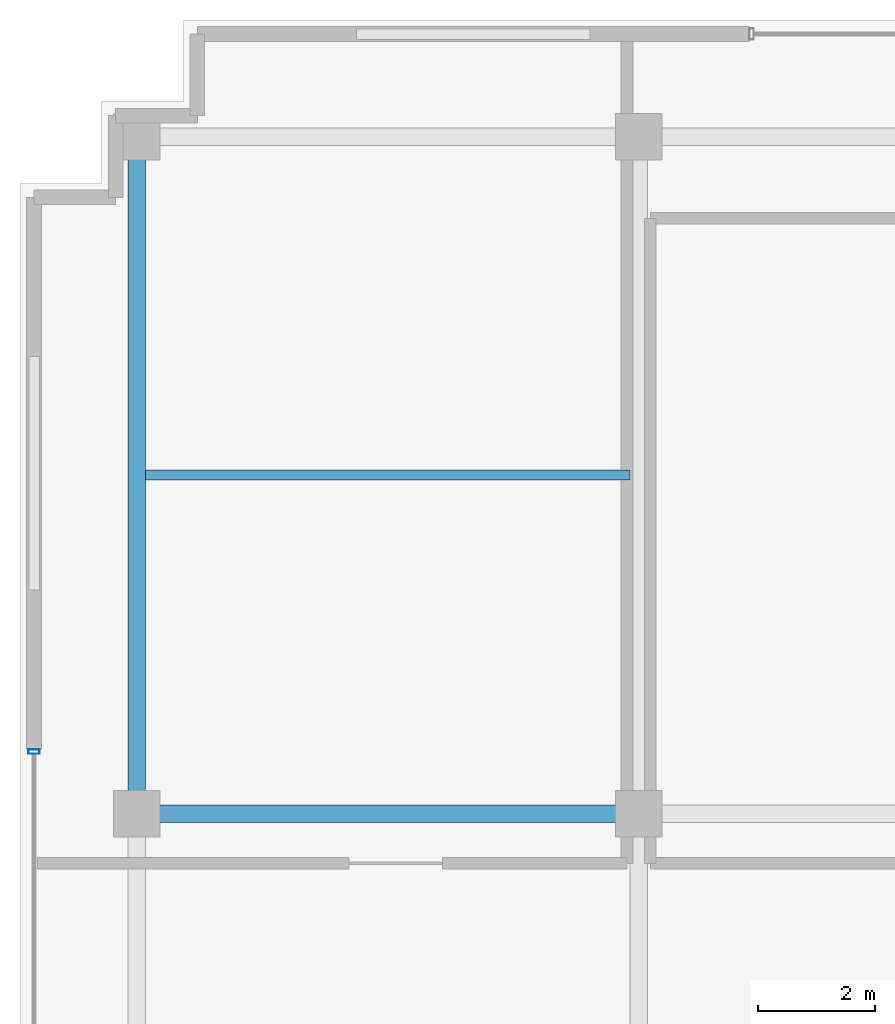
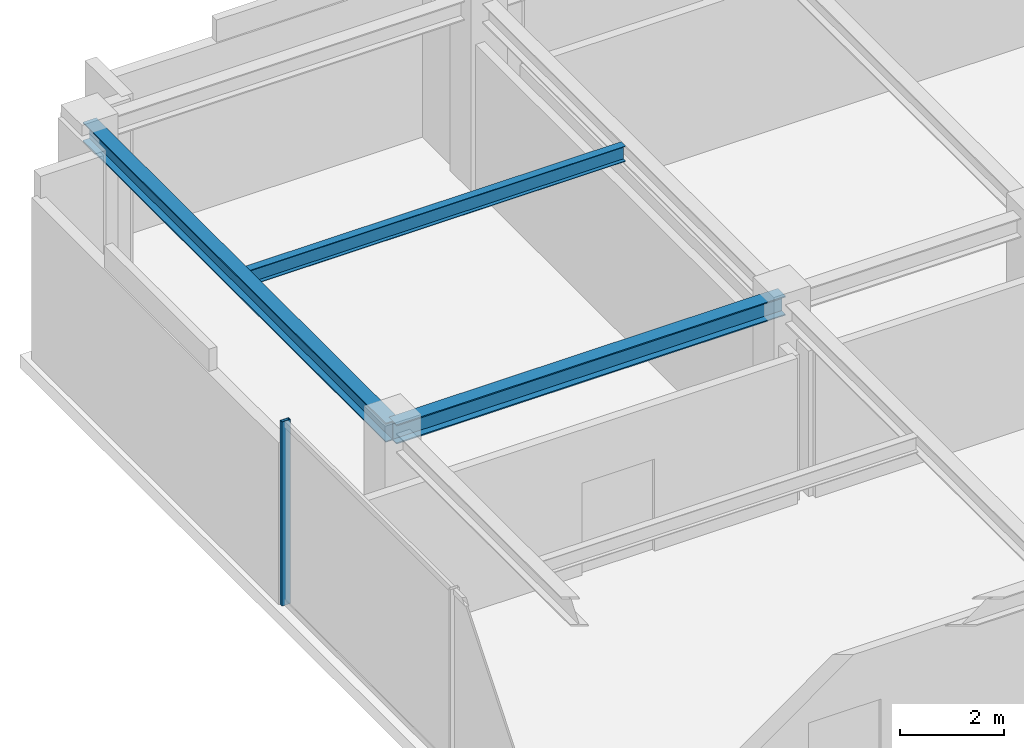
# One storey, part 8 of 18: 3 beams, 1 member, 1 element without a shape of its own.
"""IFC4 building model written with IfcOpenShell, lengths in metres."""

from ifc_helpers import new_model, si_unit, direction, frame, origin, origin_2d, place, context, subcontext, project, spatial, hollow_rectangle, i_section, extrude, source, transform, mapped, material, material_profile, profile_set, type_object, element, aggregate, save


model = new_model("IFC4")

# Units and contexts
model_context = context("Model", 3, precision=1e-05, world=origin(), true_north=direction((0.0, 1.0)))
body_context = subcontext(model_context, "Body", "Model", "MODEL_VIEW")
ifc_project = project(units=[si_unit("LENGTHUNIT", "METRE"), si_unit("AREAUNIT", "SQUARE_METRE"), si_unit("VOLUMEUNIT", "CUBIC_METRE"), si_unit("PLANEANGLEUNIT", "RADIAN"), si_unit("MASSUNIT", "GRAM", prefix="KILO")], contexts=[model_context])

# Site, building, storey
site_placement = place(None, origin())
site = spatial("IfcSite", under=ifc_project, at=site_placement, CompositionType="ELEMENT")
building_placement = place(site_placement, origin())
building = spatial("IfcBuilding", under=site, at=building_placement, Name="Nahalor Promenade Grand Hotel", CompositionType="ELEMENT")
storey_placement = place(building_placement, frame((0.0, 0.0, 366.25)))
storey = spatial("IfcBuildingStorey", under=building, at=storey_placement, Name="L93", CompositionType="ELEMENT", Elevation=366.25)

# Beams
ifc_material_1 = material(Name="Steel S355JR", Category="steel")
ifc_material_profile_1 = material_profile(ifc_material_1, i_section(OverallWidth=0.3, OverallDepth=0.45, WebThickness=0.014, FlangeThickness=0.026, at=origin_2d()), Name="HEB 450")
ifc_profile_set_1 = profile_set([ifc_material_profile_1], Name="Steel S355JR")
beam_type_1 = type_object("IfcBeamType", Name="Beam-Girder-HEB450", PredefinedType="BEAM", material=ifc_profile_set_1)
shared_shape_1 = source(origin(), body_context, "Body", "SweptSolid", [
    extrude(i_section(OverallWidth=0.3, OverallDepth=0.45, WebThickness=0.014, FlangeThickness=0.026, at=origin_2d()), origin(), (0.0, 0.0, 1.0), 8.60009765625),
])
beam_1_placement = place(storey_placement, frame((-17.0, 5.39990234375, 4.074951171875), z_axis=(1.0, 0.0, 0.0), x_axis=(0.0, 1.0, 0.0)))
element("IfcBeam", 1, at=beam_1_placement, inside=storey, type_object=beam_type_1, Name="BM-L93-GX-2-0", PredefinedType="BEAM", context=body_context, shape_type="MappedRepresentation", body=[
    mapped(shared_shape_1, transform((0.0, 0.0, 0.0), scale=1.0)),
])
shared_shape_2 = source(origin(), body_context, "Body", "SweptSolid", [
    extrude(i_section(OverallWidth=0.3, OverallDepth=0.45, WebThickness=0.014, FlangeThickness=0.026, at=origin_2d()), origin(), (0.0, 0.0, 1.0), 11.60009765625),
])
beam_2_placement = place(storey_placement, frame((-17.0, 5.39990234375, 4.074951171875), z_axis=(0.0, 1.0, 0.0), x_axis=(-1.0, 0.0, 0.0)))
element("IfcBeam", 2, at=beam_2_placement, inside=storey, type_object=beam_type_1, Name="BM-L93-GY-0-2", PredefinedType="BEAM", context=body_context, shape_type="MappedRepresentation", body=[
    mapped(shared_shape_2, transform((0.0, 0.0, 0.0), scale=1.0)),
])
ifc_material_profile_2 = material_profile(ifc_material_1, i_section(OverallWidth=0.17, OverallDepth=0.36, WebThickness=0.008, FlangeThickness=0.0127, at=origin_2d()), Name="IPE 360")
ifc_profile_set_2 = profile_set([ifc_material_profile_2], Name="Steel S355JR")
beam_type_2 = type_object("IfcBeamType", Name="Beam-Joist-IPE360", PredefinedType="JOIST", material=ifc_profile_set_2)
shared_shape_3 = source(origin(), body_context, "Body", "SweptSolid", [
    extrude(i_section(OverallWidth=0.17, OverallDepth=0.36, WebThickness=0.008, FlangeThickness=0.0127, at=origin_2d()), origin(), (0.0, 0.0, 1.0), 8.300048828125),
])
beam_3_placement = place(storey_placement, frame((-16.85009765625, 11.199951171875, 4.1201171875), z_axis=(1.0, 0.0, 0.0), x_axis=(0.0, 1.0, 0.0)))
element("IfcBeam", 3, at=beam_3_placement, inside=storey, type_object=beam_type_2, Name="BM-L93-JSW-1-1", PredefinedType="JOIST", context=body_context, shape_type="MappedRepresentation", body=[
    mapped(shared_shape_3, transform((0.0, 0.0, 0.0), scale=1.0)),
])

# Curtain wall, member
ifc_material_2 = material(Name="Anodised Bronze Aluminium EN AW-6063 T6", Category="aluminium")
curtain_wall_type = type_object("IfcCurtainWallType", Name="CW6 Crown Botanical Conservatory Curtain Wall", PredefinedType="USERDEFINED", material=ifc_material_2)
curtain_wall_placement = place(storey_placement, origin())
curtain_wall = element("IfcCurtainWall", 4, at=curtain_wall_placement, inside=storey, type_object=curtain_wall_type, Name="L93 Curtain Wall CW-L93-W", ObjectType="UNITISED_CURTAIN_WALL", PredefinedType="USERDEFINED")
ifc_material_profile_3 = material_profile(ifc_material_2, hollow_rectangle(XDim=0.075, YDim=0.19, WallThickness=0.005, at=origin_2d()), Name="CWM 75x190x5")
ifc_profile_set_3 = profile_set([ifc_material_profile_3], Name="Anodised Bronze Aluminium EN AW-6063 T6")
member_type = type_object("IfcMemberType", Name="CWM6 Conservatory Bronze Mullion 75x190", PredefinedType="MULLION", material=ifc_profile_set_3)
shared_shape_4 = source(origin(), body_context, "Body", "SweptSolid", [
    extrude(hollow_rectangle(XDim=0.075, YDim=0.19, WallThickness=0.005, at=origin_2d()), origin(), (0.0, 0.0, 1.0), 4.300048828125),
])
member_placement = place(storey_placement, frame((-18.760009765625, 6.46240234375, 0.0), z_axis=(0.0, 0.0, 1.0), x_axis=(0.0, 1.0, 0.0)))
member = element("IfcMember", 5, at=member_placement, type_object=member_type, Name="CW-L93-W Mullion 2", PredefinedType="MULLION", context=body_context, shape_type="MappedRepresentation", body=[
    mapped(shared_shape_4, transform((0.0, 0.0, 0.0), scale=1.0)),
])
aggregate(curtain_wall, [member])

save(model, "model.ifc")
